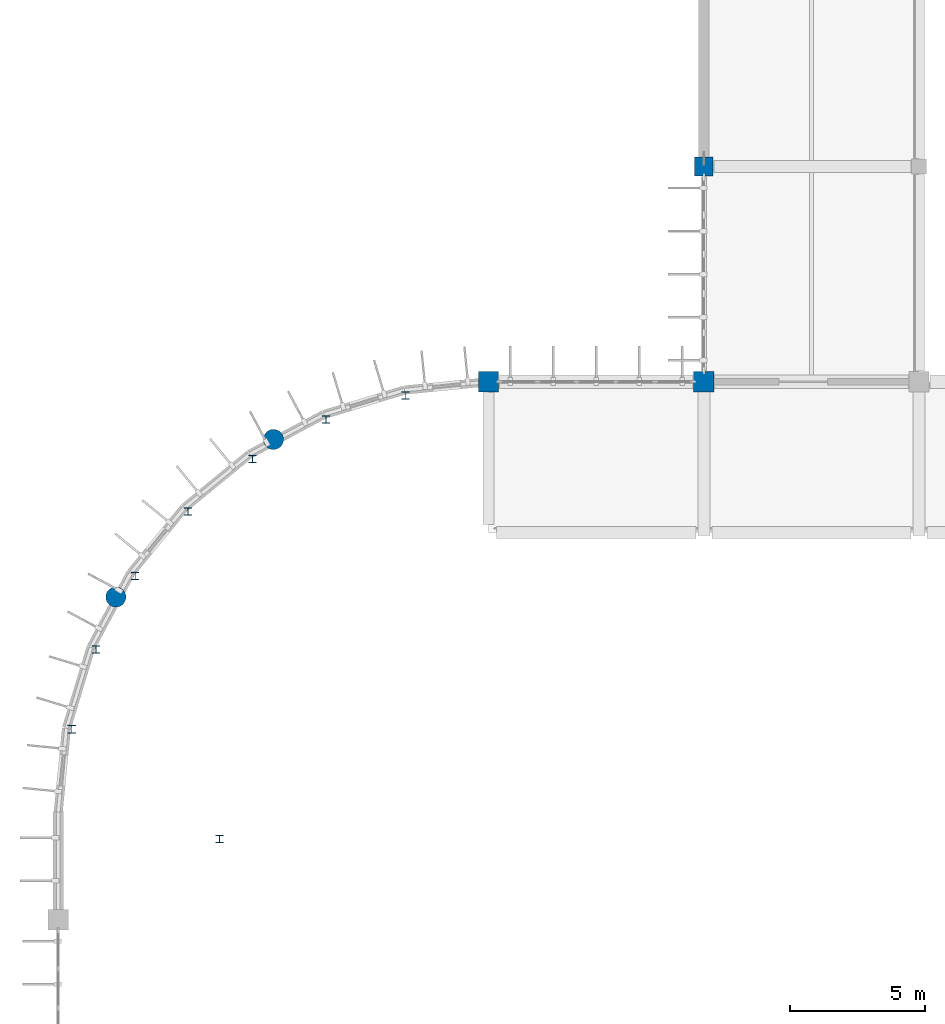
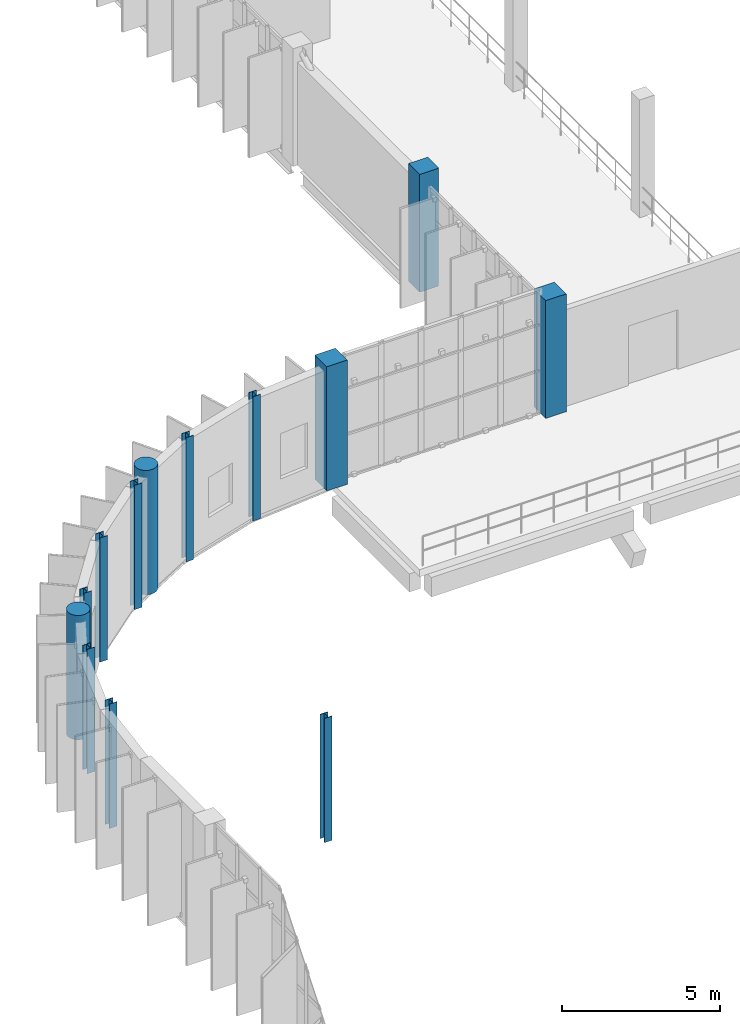
# One storey, part 7 of 93: 13 columns.
"""IFC4 building model written with IfcOpenShell, lengths in metres."""

from ifc_helpers import new_model, si_unit, direction, frame, origin, origin_2d, place, context, subcontext, project, spatial, rectangle, circle, i_section, extrude, material, material_profile, profile_set, type_object, element, save


model = new_model("IFC4")

# Units and contexts
model_context = context("Model", 3, precision=1e-05, world=origin(), true_north=direction((0.0, 1.0)))
body_context = subcontext(model_context, "Body", "Model", "MODEL_VIEW")
ifc_project = project(units=[si_unit("LENGTHUNIT", "METRE"), si_unit("AREAUNIT", "SQUARE_METRE"), si_unit("VOLUMEUNIT", "CUBIC_METRE"), si_unit("PLANEANGLEUNIT", "RADIAN"), si_unit("MASSUNIT", "GRAM", prefix="KILO")], contexts=[model_context])

# Site, building, storey
site_placement = place(None, origin())
site = spatial("IfcSite", under=ifc_project, at=site_placement, CompositionType="ELEMENT")
building_placement = place(site_placement, origin())
building = spatial("IfcBuilding", under=site, at=building_placement, Name="Drelvana Railside Aquatics Centre", CompositionType="ELEMENT")
storey_placement = place(building_placement, frame((0.0, 0.0, 5.39990234375)))
storey = spatial("IfcBuildingStorey", under=building, at=storey_placement, Name="L01", CompositionType="ELEMENT", Elevation=5.39990234375)

# Columns
ifc_material_1 = material(Name="Concrete C40/50", Category="concrete")
ifc_material_profile_1 = material_profile(ifc_material_1, rectangle(XDim=0.699951171875, YDim=0.699951171875, at=origin_2d()), Name="RC 700x700")
ifc_profile_set_1 = profile_set([ifc_material_profile_1], Name="Concrete C40/50")
column_type_1 = type_object("IfcColumnType", Name="STR-COL-RC-700x700", PredefinedType="COLUMN", material=ifc_profile_set_1)
column_1_placement = place(storey_placement, frame((24.0, 92.0, 0.0), z_axis=(0.0, 0.0, 1.0), x_axis=(1.0, 0.0, 0.0)))
element("IfcColumn", 1, at=column_1_placement, inside=storey, type_object=column_type_1, Name="Column C-06 (L01)", PredefinedType="COLUMN", context=body_context, shape_type="SweptSolid", body=[
    extrude(rectangle(XDim=0.699951171875, YDim=0.699951171875, at=origin_2d()), origin(), (0.0, 0.0, 1.0), 4.550048828125),
])
ifc_material_profile_2 = material_profile(ifc_material_1, rectangle(XDim=0.75, YDim=0.75, at=origin_2d()), Name="RC 750x750")
ifc_profile_set_2 = profile_set([ifc_material_profile_2], Name="Concrete C40/50")
column_type_2 = type_object("IfcColumnType", Name="STR-COL-RC-750x750", PredefinedType="COLUMN", material=ifc_profile_set_2)
column_2_placement = place(storey_placement, frame((16.0, 84.0, 0.0), z_axis=(0.0, 0.0, 1.0), x_axis=(1.0, 0.0, 0.0)))
element("IfcColumn", 2, at=column_2_placement, inside=storey, type_object=column_type_2, Name="Column C-07 (L01)", PredefinedType="COLUMN", context=body_context, shape_type="SweptSolid", body=[
    extrude(rectangle(XDim=0.75, YDim=0.75, at=origin_2d()), origin(), (0.0, 0.0, 1.0), 4.800048828125),
])
column_3_placement = place(storey_placement, frame((24.0, 84.0, 0.0), z_axis=(0.0, 0.0, 1.0), x_axis=(1.0, 0.0, 0.0)))
element("IfcColumn", 3, at=column_3_placement, inside=storey, type_object=column_type_2, Name="Column C-07 (L01)", PredefinedType="COLUMN", context=body_context, shape_type="SweptSolid", body=[
    extrude(rectangle(XDim=0.75, YDim=0.75, at=origin_2d()), origin(), (0.0, 0.0, 1.0), 4.550048828125),
])
ifc_material_profile_3 = material_profile(ifc_material_1, circle(Radius=0.375, at=origin_2d()), Name="RC D750")
ifc_profile_set_3 = profile_set([ifc_material_profile_3], Name="Concrete C40/50")
column_type_3 = type_object("IfcColumnType", Name="STR-COL-RC-D750", PredefinedType="PILASTER", material=ifc_profile_set_3)
for number, where, z_axis, x_axis, name in (
    (4, (8.0, 81.8564453125, 0.0), (0.0, 0.0, 1.0), (1.0, 0.0, 0.0), "Column CP-02 (L01)"),
    (5, (2.1435546875, 76.0, 0.0), (0.0, 0.0, 1.0), (1.0, 0.0, 0.0), "Column CP-02 (L01)"),
):
    element("IfcColumn", number, at=place(storey_placement, frame(where, z_axis=z_axis, x_axis=x_axis)), inside=storey, type_object=column_type_3, Name=name, PredefinedType="PILASTER", context=body_context, shape_type="SweptSolid", body=[
        extrude(circle(Radius=0.375, at=origin_2d()), origin(), (0.0, 0.0, 1.0), 4.800048828125),
    ])
ifc_material_2 = material(Name="Structural steel S355", Category="steel")
ifc_material_profile_4 = material_profile(ifc_material_2, i_section(OverallWidth=0.280029296875, OverallDepth=0.280029296875, WebThickness=0.010498046875, FlangeThickness=0.01806640625, at=origin_2d()), Name="HEB 280")
ifc_profile_set_4 = profile_set([ifc_material_profile_4], Name="Structural steel S355")
column_type_4 = type_object("IfcColumnType", Name="STR-SCOL-HEB-280", PredefinedType="COLUMN", material=ifc_profile_set_4)
for number, where, z_axis, x_axis, name in (
    (6, (12.91748046875, 83.496337890625, 0.0), (0.0, 0.0, 1.0), (1.0, 0.0, 0.0), "V1NW curved chord column 1 (L01)"),
    (7, (9.95361328125, 82.597412109375, 0.0), (0.0, 0.0, 1.0), (1.0, 0.0, 0.0), "V1NW curved chord column 2 (L01)"),
    (8, (7.221923828125, 81.13720703125, 0.0), (0.0, 0.0, 1.0), (1.0, 0.0, 0.0), "V1NW curved chord column 3 (L01)"),
    (9, (4.82763671875, 79.17236328125, 0.0), (0.0, 0.0, 1.0), (1.0, 0.0, 0.0), "V1NW curved chord column 4 (L01)"),
    (10, (2.86279296875, 76.778076171875, 0.0), (0.0, 0.0, 1.0), (1.0, 0.0, 0.0), "V1NW curved chord column 5 (L01)"),
    (11, (1.402587890625, 74.04638671875, 0.0), (0.0, 0.0, 1.0), (1.0, 0.0, 0.0), "V1NW curved chord column 6 (L01)"),
    (12, (0.503662109375, 71.08251953125, 0.0), (0.0, 0.0, 1.0), (1.0, 0.0, 0.0), "V1NW curved chord column 7 (L01)"),
    (13, (6.0, 67.0, 0.0), (0.0, 0.0, 1.0), (1.0, 0.0, 0.0), "Gridshell west end rafter column Y67 (L01)"),
):
    element("IfcColumn", number, at=place(storey_placement, frame(where, z_axis=z_axis, x_axis=x_axis)), inside=storey, type_object=column_type_4, Name=name, PredefinedType="COLUMN", context=body_context, shape_type="SweptSolid", body=[
        extrude(i_section(OverallWidth=0.280029296875, OverallDepth=0.280029296875, WebThickness=0.010498046875, FlangeThickness=0.01806640625, at=origin_2d()), origin(), (0.0, 0.0, 1.0), 4.800048828125),
    ])

save(model, "model.ifc")
